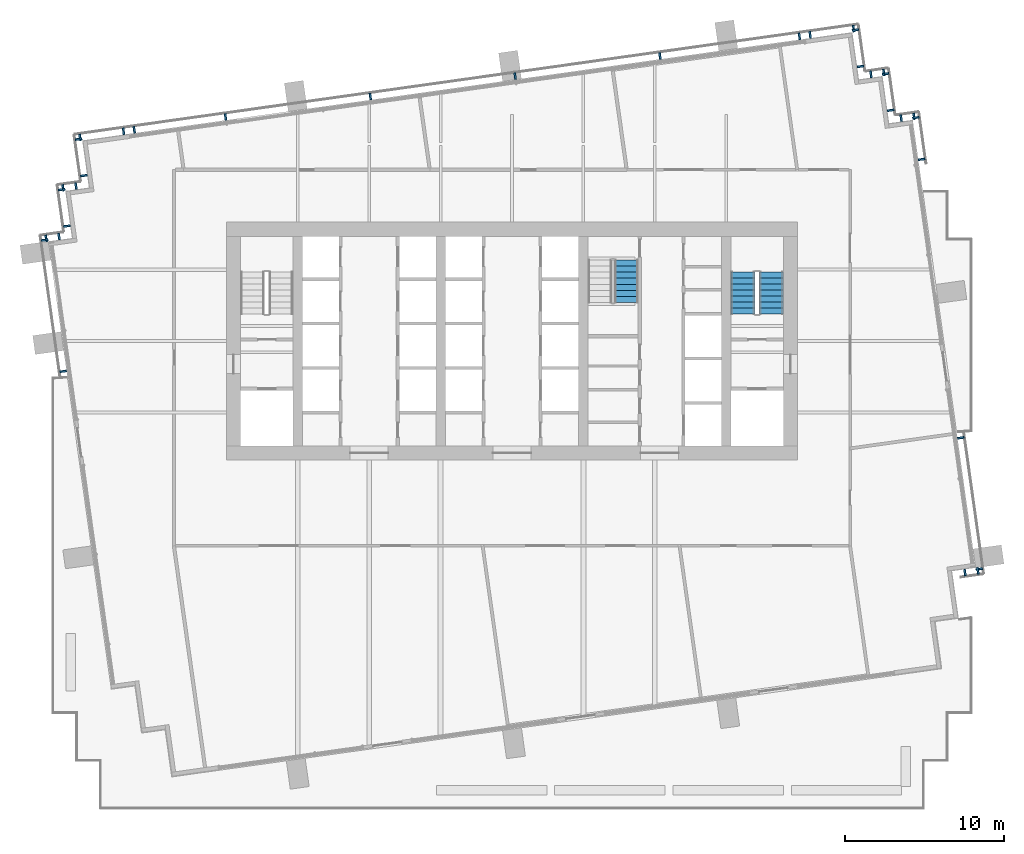
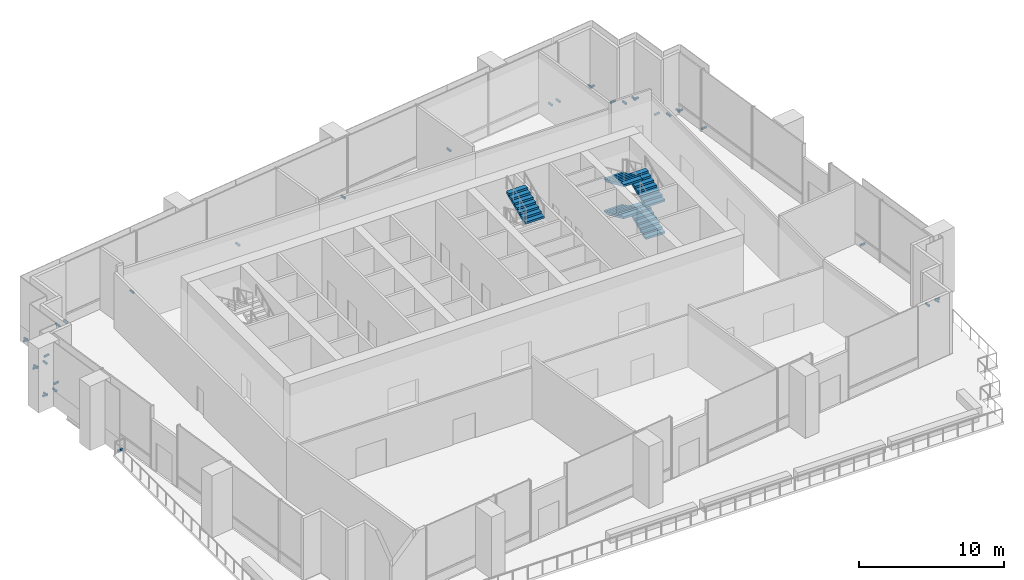
# One storey, part 11 of 17: 34 discrete accessories, 5 stair flights, 2 elements without a shape of their own.
"""IFC4 building model written with IfcOpenShell, lengths in metres."""

from ifc_helpers import new_model, si_unit, direction, frame, origin, origin_2d, place, context, subcontext, project, spatial, polyline, rectangle, outline, extrude, material, type_object, element, aggregate, save


model = new_model("IFC4")

# Units and contexts
model_context = context("Model", 3, precision=1e-05, world=origin(), true_north=direction((0.0, 1.0)))
body_context = subcontext(model_context, "Body", "Model", "MODEL_VIEW")
ifc_project = project(units=[si_unit("LENGTHUNIT", "METRE"), si_unit("AREAUNIT", "SQUARE_METRE"), si_unit("VOLUMEUNIT", "CUBIC_METRE"), si_unit("PLANEANGLEUNIT", "RADIAN"), si_unit("MASSUNIT", "GRAM", prefix="KILO")], contexts=[model_context])

# Site, building, storey
site_placement = place(None, origin())
site = spatial("IfcSite", under=ifc_project, at=site_placement, CompositionType="ELEMENT")
building_placement = place(site_placement, origin())
building = spatial("IfcBuilding", under=site, at=building_placement, Name="Rattan Terrace Tower", CompositionType="ELEMENT")
storey_placement = place(building_placement, frame((0.0, 0.0, 163.10009765625)))
storey = spatial("IfcBuildingStorey", under=building, at=storey_placement, Name="L37", CompositionType="ELEMENT", Elevation=163.10009765625)

# Stair, stair flights
ifc_material_1 = material(Name="Concrete C40/50", Category="concrete")
stair_type = type_object("IfcStairType", Name="Core exit stair 1500", PredefinedType="HALF_TURN_STAIR", material=ifc_material_1)
stair_1_placement = place(storey_placement, origin())
stair_1 = element("IfcStair", 1, at=stair_1_placement, inside=storey, type_object=stair_type, Name="L37 exit stair 2", PredefinedType="HALF_TURN_STAIR")
ifc_material_2 = material(Name="Concrete C40/50", Category="concrete")
stair_flight_type = type_object("IfcStairFlightType", Name="Core exit stair flight 1500", PredefinedType="STRAIGHT", material=ifc_material_2)
stair_flight_1_placement = place(storey_placement, frame((16.35009765625, 1.699951171875, 0.0), z_axis=(0.0, 0.0, 1.0), x_axis=(0.0, 1.0, 0.0)))
stair_flight_1 = element("IfcStairFlight", 2, at=stair_flight_1_placement, type_object=stair_flight_type, Name="S2 flight 1", NumberOfRisers=8, NumberOfTreads=7, PredefinedType="STRAIGHT", RiserHeight=0.16875, TreadLength=0.38, context=body_context, shape_type="SweptSolid", body=[
    extrude(outline(polyline([(0.0, 0.0), (0.0, 0.168701171875), (0.3798828125, 0.168701171875), (0.3798828125, 0.33740234375), (0.760009765625, 0.33740234375), (0.760009765625, 0.50634765625), (1.139892578125, 0.50634765625), (1.139892578125, 0.675048828125), (1.52001953125, 0.675048828125), (1.52001953125, 0.84375), (1.89990234375, 0.84375), (1.89990234375, 1.012451171875), (2.280029296875, 1.012451171875), (2.280029296875, 1.18115234375), (2.659912109375, 1.18115234375), (2.659912109375, 1.35009765625), (2.659912109375, 1.017333984375), (0.369384765625, 0.0), (0.0, 0.0)])), frame((0.0, 0.75, 0.0), z_axis=(0.0, -1.0, 0.0), x_axis=(1.0, 0.0, 0.0)), (0.0, 0.0, 1.0), 1.5),
])
stair_flight_2_placement = place(storey_placement, frame((14.550048828125, 4.360107421875, 1.349853515625), z_axis=(0.0, 0.0, 1.0), x_axis=(0.0, -1.0, 0.0)))
stair_flight_2 = element("IfcStairFlight", 3, at=stair_flight_2_placement, type_object=stair_flight_type, Name="S2 flight 2", NumberOfRisers=8, NumberOfTreads=7, PredefinedType="STRAIGHT", RiserHeight=0.16875, TreadLength=0.38, context=body_context, shape_type="SweptSolid", body=[
    extrude(outline(polyline([(0.0, 0.0), (0.0, 0.168701171875), (0.3798828125, 0.168701171875), (0.3798828125, 0.33740234375), (0.760009765625, 0.33740234375), (0.760009765625, 0.50634765625), (1.139892578125, 0.50634765625), (1.139892578125, 0.675048828125), (1.52001953125, 0.675048828125), (1.52001953125, 0.84375), (1.89990234375, 0.84375), (1.89990234375, 1.012451171875), (2.280029296875, 1.012451171875), (2.280029296875, 1.18115234375), (2.659912109375, 1.18115234375), (2.659912109375, 1.35009765625), (2.659912109375, 1.017333984375), (0.369384765625, 0.0), (0.0, 0.0)])), frame((0.0, 0.75, 0.0), z_axis=(0.0, -1.0, 0.0), x_axis=(1.0, 0.0, 0.0)), (0.0, 0.0, 1.0), 1.5),
])
stair_flight_3_placement = place(storey_placement, frame((16.35009765625, 1.699951171875, 2.699951171875), z_axis=(0.0, 0.0, 1.0), x_axis=(0.0, 1.0, 0.0)))
stair_flight_3 = element("IfcStairFlight", 4, at=stair_flight_3_placement, type_object=stair_flight_type, Name="S2 flight 3", NumberOfRisers=8, NumberOfTreads=7, PredefinedType="STRAIGHT", RiserHeight=0.16875, TreadLength=0.38, context=body_context, shape_type="SweptSolid", body=[
    extrude(outline(polyline([(0.0, 0.0), (0.0, 0.168701171875), (0.3798828125, 0.168701171875), (0.3798828125, 0.33740234375), (0.760009765625, 0.33740234375), (0.760009765625, 0.50634765625), (1.139892578125, 0.50634765625), (1.139892578125, 0.675048828125), (1.52001953125, 0.675048828125), (1.52001953125, 0.84375), (1.89990234375, 0.84375), (1.89990234375, 1.012451171875), (2.280029296875, 1.012451171875), (2.280029296875, 1.18115234375), (2.659912109375, 1.18115234375), (2.659912109375, 1.35009765625), (2.659912109375, 1.017333984375), (0.369384765625, 0.0), (0.0, 0.0)])), frame((0.0, 0.75, 0.0), z_axis=(0.0, -1.0, 0.0), x_axis=(1.0, 0.0, 0.0)), (0.0, 0.0, 1.0), 1.5),
])
stair_flight_4_placement = place(storey_placement, frame((14.550048828125, 4.360107421875, 4.0498046875), z_axis=(0.0, 0.0, 1.0), x_axis=(0.0, -1.0, 0.0)))
stair_flight_4 = element("IfcStairFlight", 5, at=stair_flight_4_placement, type_object=stair_flight_type, Name="S2 flight 4", NumberOfRisers=8, NumberOfTreads=7, PredefinedType="STRAIGHT", RiserHeight=0.16875, TreadLength=0.38, context=body_context, shape_type="SweptSolid", body=[
    extrude(outline(polyline([(0.0, 0.0), (0.0, 0.168701171875), (0.3798828125, 0.168701171875), (0.3798828125, 0.33740234375), (0.760009765625, 0.33740234375), (0.760009765625, 0.50634765625), (1.139892578125, 0.50634765625), (1.139892578125, 0.675048828125), (1.52001953125, 0.675048828125), (1.52001953125, 0.84375), (1.89990234375, 0.84375), (1.89990234375, 1.012451171875), (2.280029296875, 1.012451171875), (2.280029296875, 1.18115234375), (2.659912109375, 1.18115234375), (2.659912109375, 1.35009765625), (2.659912109375, 1.017333984375), (0.369384765625, 0.0), (0.0, 0.0)])), frame((0.0, 0.75, 0.0), z_axis=(0.0, -1.0, 0.0), x_axis=(1.0, 0.0, 0.0)), (0.0, 0.0, 1.0), 1.5),
])
aggregate(stair_1, [stair_flight_1, stair_flight_2, stair_flight_3, stair_flight_4])

# Stair, stair flight
stair_2_placement = place(storey_placement, origin())
stair_2 = element("IfcStair", 6, at=stair_2_placement, inside=storey, type_object=stair_type, Name="L37 exit stair 3", PredefinedType="HALF_TURN_STAIR")
stair_flight_5_placement = place(storey_placement, frame((7.199951171875, 2.43994140625, 4.0498046875), z_axis=(0.0, 0.0, 1.0), x_axis=(0.0, 1.0, 0.0)))
stair_flight_5 = element("IfcStairFlight", 7, at=stair_flight_5_placement, type_object=stair_flight_type, Name="S3 flight 4", NumberOfRisers=8, NumberOfTreads=7, PredefinedType="STRAIGHT", RiserHeight=0.16875, TreadLength=0.38, context=body_context, shape_type="SweptSolid", body=[
    extrude(outline(polyline([(0.0, 0.0), (0.0, 0.168701171875), (0.3798828125, 0.168701171875), (0.3798828125, 0.33740234375), (0.760009765625, 0.33740234375), (0.760009765625, 0.50634765625), (1.139892578125, 0.50634765625), (1.139892578125, 0.675048828125), (1.52001953125, 0.675048828125), (1.52001953125, 0.84375), (1.89990234375, 0.84375), (1.89990234375, 1.012451171875), (2.280029296875, 1.012451171875), (2.280029296875, 1.18115234375), (2.659912109375, 1.18115234375), (2.659912109375, 1.35009765625), (2.659912109375, 1.017333984375), (0.369384765625, 0.0), (0.0, 0.0)])), frame((0.0, 0.75, 0.0), z_axis=(0.0, -1.0, 0.0), x_axis=(1.0, 0.0, 0.0)), (0.0, 0.0, 1.0), 1.5),
])
aggregate(stair_2, [stair_flight_5])

# Discrete accessories
for number, where, z_axis, x_axis, name in (
    (8, (28.54150390625, -14.5908203125, -0.169921875), (0.0, 0.0, 1.0), (0.99025370695, 0.139275252184, 0.0), "Panel bracket L37-1"),
    (9, (29.354248046875, -14.4765625, -0.169921875), (0.0, 0.0, 1.0), (0.99025370695, 0.139275252184, 0.0), "Panel bracket L37-2"),
    (10, (29.439208984375, -14.36376953125, -0.169921875), (0.0, 0.0, 1.0), (-0.139190856006, 0.99026557327, 0.0), "Panel bracket L37-3"),
    (11, (28.277099609375, -6.094970703125, -0.169921875), (0.0, 0.0, 1.0), (-0.139190856006, 0.99026557327, 0.0), "Panel bracket L37-4"),
    (12, (25.810546875, 11.45263671875, -0.169921875), (0.0, 0.0, 1.0), (-0.139190856006, 0.99026557327, 0.0), "Panel bracket L37-5"),
    (13, (25.441650390625, 14.0771484375, -0.169921875), (0.0, 0.0, 1.0), (-0.139190856006, 0.99026557327, 0.0), "Panel bracket L37-6"),
    (14, (25.328857421875, 14.162353515625, -0.169921875), (0.0, 0.0, 1.0), (-0.990240767803, -0.139367219175, 0.0), "Panel bracket L37-7"),
    (15, (24.51708984375, 14.048095703125, -0.169921875), (0.0, 0.0, 1.0), (-0.990240767803, -0.139367219175, 0.0), "Panel bracket L37-8"),
    (16, (23.86181640625, 14.54150390625, -0.169921875), (0.0, 0.0, 1.0), (-0.139321220646, 0.990247240581, 0.0), "Panel bracket L37-9"),
    (17, (23.53857421875, 16.83935546875, -0.169921875), (0.0, 0.0, 1.0), (-0.139321220646, 0.990247240581, 0.0), "Panel bracket L37-10"),
    (18, (23.42578125, 16.92431640625, -0.169921875), (0.0, 0.0, 1.0), (-0.990240767803, -0.139367219175, 0.0), "Panel bracket L37-11"),
    (19, (22.614013671875, 16.81005859375, -0.169921875), (0.0, 0.0, 1.0), (-0.990240767803, -0.139367219175, 0.0), "Panel bracket L37-12"),
    (20, (21.958984375, 17.303466796875, -0.169921875), (0.0, 0.0, 1.0), (-0.139321220646, 0.990247240581, 0.0), "Panel bracket L37-13"),
    (21, (21.635498046875, 19.601318359375, -0.169921875), (0.0, 0.0, 1.0), (-0.139321220646, 0.990247240581, 0.0), "Panel bracket L37-14"),
    (22, (21.522705078125, 19.686279296875, -0.169921875), (0.0, 0.0, 1.0), (-0.990240767803, -0.139367219175, 0.0), "Panel bracket L37-15"),
    (23, (18.780517578125, 19.30029296875, -0.169921875), (0.0, 0.0, 1.0), (-0.990240767803, -0.139367219175, 0.0), "Panel bracket L37-16"),
    (24, (18.10693359375, 19.20556640625, -0.169921875), (0.0, 0.0, 1.0), (-0.990269702686, -0.139161474347, 0.0), "Panel bracket L37-17"),
    (25, (9.3203125, 17.970947265625, -0.169921875), (0.0, 0.0, 1.0), (-0.990269702686, -0.139161474347, 0.0), "Panel bracket L37-18"),
    (26, (0.197021484375, 16.688720703125, -0.169921875), (0.0, 0.0, 1.0), (-0.990269702686, -0.139161474347, 0.0), "Panel bracket L37-19"),
    (27, (-8.92626953125, 15.40673828125, -0.169921875), (0.0, 0.0, 1.0), (-0.990269702686, -0.139161474347, 0.0), "Panel bracket L37-20"),
    (28, (-18.0498046875, 14.12451171875, -0.169921875), (0.0, 0.0, 1.0), (-0.990269702686, -0.139161474347, 0.0), "Panel bracket L37-21"),
    (29, (-23.801513671875, 13.316162109375, -0.169921875), (0.0, 0.0, 1.0), (-0.990269702686, -0.139161474347, 0.0), "Panel bracket L37-22"),
    (30, (-24.474853515625, 13.2216796875, -0.169921875), (0.0, 0.0, 1.0), (-0.990247240581, -0.139321220646, 0.0), "Panel bracket L37-23"),
    (31, (-27.21826171875, 12.835693359375, -0.169921875), (0.0, 0.0, 1.0), (-0.990247240581, -0.139321220646, 0.0), "Panel bracket L37-24"),
    (32, (-27.30322265625, 12.72265625, -0.169921875), (0.0, 0.0, 1.0), (0.139321220646, -0.990247240581, 0.0), "Panel bracket L37-25"),
    (33, (-26.97998046875, 10.42529296875, -0.169921875), (0.0, 0.0, 1.0), (0.139321220646, -0.990247240581, 0.0), "Panel bracket L37-26"),
    (34, (-27.473876953125, 9.7705078125, -0.169921875), (0.0, 0.0, 1.0), (-0.990345406709, -0.138621698915, 0.0), "Panel bracket L37-27"),
    (35, (-28.286376953125, 9.65673828125, -0.169921875), (0.0, 0.0, 1.0), (-0.990345406709, -0.138621698915, 0.0), "Panel bracket L37-28"),
    (36, (-28.371337890625, 9.5439453125, -0.169921875), (0.0, 0.0, 1.0), (0.139321220646, -0.990247240581, 0.0), "Panel bracket L37-29"),
    (37, (-28.048095703125, 7.24609375, -0.169921875), (0.0, 0.0, 1.0), (0.139321220646, -0.990247240581, 0.0), "Panel bracket L37-30"),
    (38, (-28.54150390625, 6.5908203125, -0.169921875), (0.0, 0.0, 1.0), (-0.99025370695, -0.139275252184, 0.0), "Panel bracket L37-31"),
    (39, (-29.354248046875, 6.4765625, -0.169921875), (0.0, 0.0, 1.0), (-0.99025370695, -0.139275252184, 0.0), "Panel bracket L37-32"),
    (40, (-29.439208984375, 6.36376953125, -0.169921875), (0.0, 0.0, 1.0), (0.139190856006, -0.99026557327, 0.0), "Panel bracket L37-33"),
    (41, (-28.277099609375, -1.905029296875, -0.169921875), (0.0, 0.0, 1.0), (0.139190856006, -0.99026557327, 0.0), "Panel bracket L37-34"),
):
    element("IfcDiscreteAccessory", number, at=place(storey_placement, frame(where, z_axis=z_axis, x_axis=x_axis)), inside=storey, Name=name, PredefinedType="BRACKET", context=body_context, shape_type="SweptSolid", body=[
        extrude(rectangle(XDim=0.1201171875, YDim=0.419921875, at=origin_2d()), origin(), (0.0, 0.0, 1.0), 0.139892578125),
    ])

save(model, "model.ifc")
